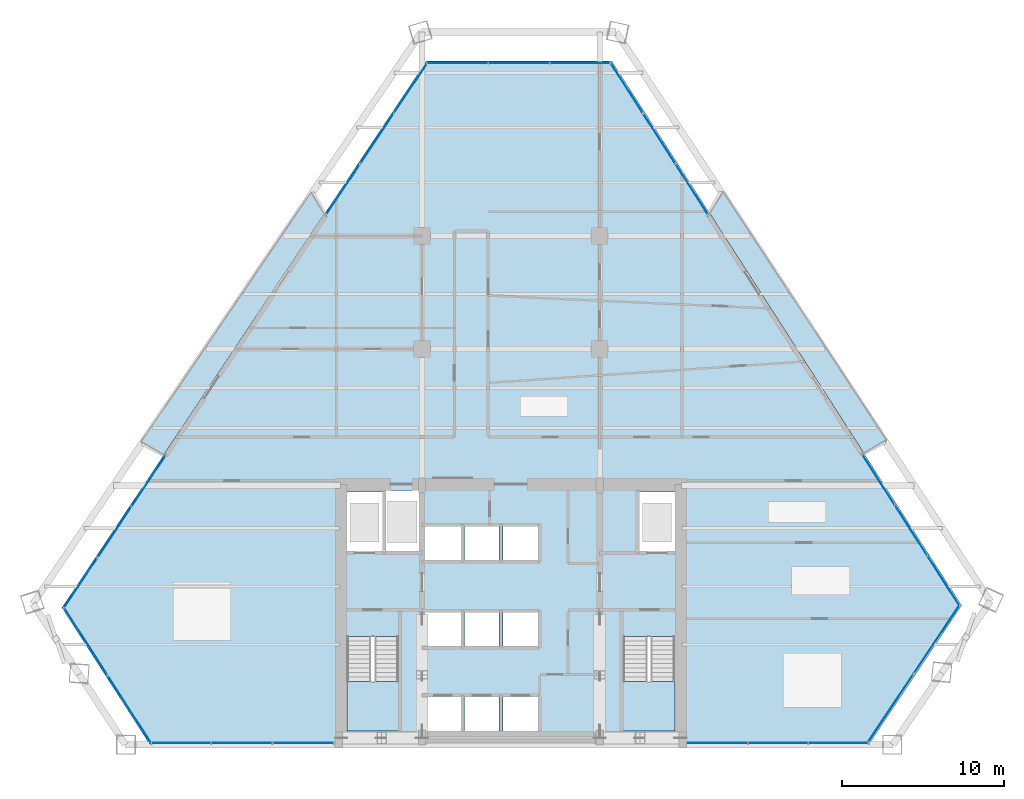
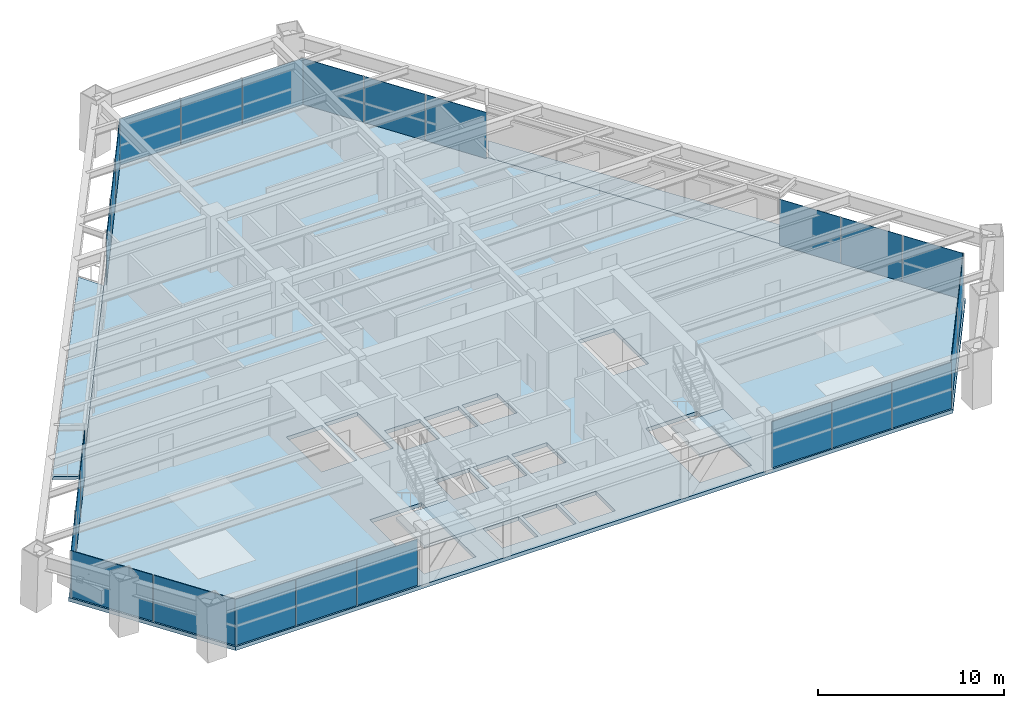
# One storey, part 9 of 15: 25 plates, 5 slabs, 11 elements without a shape of their own.
"""IFC4 building model written with IfcOpenShell, lengths in metres."""

from ifc_helpers import new_model, si_unit, direction, frame, origin, origin_2d, place, context, subcontext, project, spatial, polyline, rectangle, outline, extrude, source, transform, mapped, material, layer, layer_set, type_object, element, aggregate, save


model = new_model("IFC4")

# Units and contexts
model_context = context("Model", 3, precision=1e-05, world=origin(), true_north=direction((0.0, 1.0)))
body_context = subcontext(model_context, "Body", "Model", "MODEL_VIEW")
ifc_project = project(units=[si_unit("LENGTHUNIT", "METRE"), si_unit("AREAUNIT", "SQUARE_METRE"), si_unit("VOLUMEUNIT", "CUBIC_METRE"), si_unit("PLANEANGLEUNIT", "RADIAN"), si_unit("MASSUNIT", "GRAM", prefix="KILO")], contexts=[model_context])

# Site, building, storey
site_placement = place(None, origin())
site = spatial("IfcSite", under=ifc_project, at=site_placement, CompositionType="ELEMENT")
building_placement = place(site_placement, origin())
building = spatial("IfcBuilding", under=site, at=building_placement, Name="Varnakhor Terracotta Tower", CompositionType="ELEMENT")
storey_placement = place(building_placement, frame((0.0, 0.0, 109.89990234375)))
storey = spatial("IfcBuildingStorey", under=building, at=storey_placement, Name="L27", CompositionType="ELEMENT", Elevation=109.89990234375)

# Stair, slab
ifc_material_1 = material(Name="Concrete C40/50", Category="concrete")
stair_type = type_object("IfcStairType", Name="STR-CORE-OFFICE-1500", PredefinedType="HALF_TURN_STAIR", material=ifc_material_1)
stair_1_placement = place(storey_placement, origin())
stair_1 = element("IfcStair", 1, at=stair_1_placement, inside=storey, type_object=stair_type, Name="L27 Core Exit Stair ST-1", PredefinedType="HALF_TURN_STAIR")
ifc_layer_1 = layer(ifc_material_1, 0.179931640625, Name="Concrete C40/50")
ifc_layer_set_1 = layer_set([ifc_layer_1], Name="Concrete C40/50")
slab_type_1 = type_object("IfcSlabType", Name="SLB-LANDING-180", PredefinedType="LANDING", material=ifc_layer_set_1)
slab_1_placement = place(storey_placement, frame((0.0, 0.0, 1.650146484375)))
slab_1 = element("IfcSlab", 2, at=slab_1_placement, type_object=slab_type_1, Name="ST-1 landing 1", PredefinedType="LANDING", context=body_context, shape_type="SweptSolid", body=[
    extrude(outline(polyline([(-10.14990234375, 3.909912109375), (-10.14990234375, 0.85009765625), (-6.949951171875, 0.85009765625), (-6.949951171875, 3.909912109375), (-10.14990234375, 3.909912109375)])), origin(), (0.0, 0.0, 1.0), 0.199951171875),
])
aggregate(stair_1, [slab_1])

stair_2_placement = place(storey_placement, origin())
stair_2 = element("IfcStair", 3, at=stair_2_placement, inside=storey, type_object=stair_type, Name="L27 Core Exit Stair ST-2", PredefinedType="HALF_TURN_STAIR")
slab_2_placement = place(storey_placement, frame((0.0, 0.0, 1.650146484375)))
slab_2 = element("IfcSlab", 4, at=slab_2_placement, type_object=slab_type_1, Name="ST-2 landing 1", PredefinedType="LANDING", context=body_context, shape_type="SweptSolid", body=[
    extrude(outline(polyline([(6.949951171875, 3.909912109375), (6.949951171875, 0.85009765625), (10.14990234375, 0.85009765625), (10.14990234375, 3.909912109375), (6.949951171875, 3.909912109375)])), origin(), (0.0, 0.0, 1.0), 0.199951171875),
])
aggregate(stair_2, [slab_2])

# Slabs
ifc_layer_2 = layer(ifc_material_1, 0.195068359375, Name="Concrete C40/50")
ifc_layer_set_2 = layer_set([ifc_layer_2], Name="Concrete C40/50")
slab_type_2 = type_object("IfcSlabType", Name="SLB-LOGGIA-EXT-195", PredefinedType="FLOOR", material=ifc_layer_set_2)
slab_3_placement = place(storey_placement, frame((0.0, 0.0, -0.19482421875)))
element("IfcSlab", 5, at=slab_3_placement, inside=storey, type_object=slab_type_2, Name="L27 E Recessed Outdoor Loggia Slab", PredefinedType="FLOOR", context=body_context, shape_type="SweptSolid", body=[
    extrude(outline(polyline([(13.103759765625, 34.264892578125), (23.267333984375, 18.82080078125), (21.84521484375, 18.060546875), (12.319580078125, 32.88134765625), (13.103759765625, 34.264892578125)])), origin(), (0.0, 0.0, 1.0), 0.19482421875),
])
slab_4_placement = place(storey_placement, frame((0.0, 0.0, -0.19482421875)))
element("IfcSlab", 6, at=slab_4_placement, inside=storey, type_object=slab_type_2, Name="L27 W Recessed Outdoor Loggia Slab", PredefinedType="FLOOR", context=body_context, shape_type="SweptSolid", body=[
    extrude(outline(polyline([(-22.906005859375, 18.7119140625), (-12.339599609375, 34.222900390625), (-11.5537109375, 32.8408203125), (-21.47900390625, 17.956298828125), (-22.906005859375, 18.7119140625)])), origin(), (0.0, 0.0, 1.0), 0.19482421875),
])
ifc_layer_3 = layer(ifc_material_1, 0.25, Name="Concrete C40/50")
ifc_layer_set_3 = layer_set([ifc_layer_3], Name="Concrete C40/50")
slab_type_3 = type_object("IfcSlabType", Name="SLB-OFF-250", PredefinedType="FLOOR", material=ifc_layer_set_3)
slab_5_placement = place(storey_placement, frame((0.0, 0.0, -0.25)))
element("IfcSlab", 7, at=slab_5_placement, inside=storey, type_object=slab_type_3, Name="L27 Structural Floor Slab", PredefinedType="FLOOR", context=body_context, shape_type="SweptSolid", body=[
    extrude(outline(polyline([(-27.79541015625, 8.484619140625), (-5.237548828125, 42.3125), (6.2578125, 42.3125), (27.90673828125, 8.62939453125), (22.152587890625, 0.0), (-22.342041015625, 0.0), (-27.79541015625, 8.484619140625)]), holes=[polyline([(-3.10009765625, 0.85009765625), (-3.10009765625, 2.949951171875), (-5.300048828125, 2.949951171875), (-5.300048828125, 0.85009765625), (-3.10009765625, 0.85009765625)]), polyline([(-2.8798828125, 0.85009765625), (-0.719970703125, 0.85009765625), (-0.719970703125, 2.949951171875), (-2.8798828125, 2.949951171875), (-2.8798828125, 0.85009765625)]), polyline([(-10.14990234375, 0.85009765625), (-6.949951171875, 0.85009765625), (-6.949951171875, 6.695068359375), (-10.14990234375, 6.695068359375), (-10.14990234375, 0.85009765625)]), polyline([(-5.300048828125, 6.10009765625), (-3.10009765625, 6.10009765625), (-3.10009765625, 8.199951171875), (-5.300048828125, 8.199951171875), (-5.300048828125, 6.10009765625)]), polyline([(-5.300048828125, 11.419921875), (-3.10009765625, 11.419921875), (-3.10009765625, 13.52001953125), (-5.300048828125, 13.52001953125), (-5.300048828125, 11.419921875)]), polyline([(-10.14990234375, 11.8798828125), (-7.949951171875, 11.8798828125), (-7.949951171875, 15.64990234375), (-10.14990234375, 15.64990234375), (-10.14990234375, 11.8798828125)]), polyline([(-7.72998046875, 11.8798828125), (-5.699951171875, 11.8798828125), (-5.699951171875, 15.75), (-7.72998046875, 15.75), (-7.72998046875, 11.8798828125)]), polyline([(1.699951171875, 0.85009765625), (1.699951171875, 2.949951171875), (-0.5, 2.949951171875), (-0.5, 0.85009765625), (1.699951171875, 0.85009765625)]), polyline([(6.949951171875, 0.85009765625), (10.14990234375, 0.85009765625), (10.14990234375, 6.695068359375), (6.949951171875, 6.695068359375), (6.949951171875, 0.85009765625)]), polyline([(-2.8798828125, 6.10009765625), (-0.719970703125, 6.10009765625), (-0.719970703125, 8.199951171875), (-2.8798828125, 8.199951171875), (-2.8798828125, 6.10009765625)]), polyline([(-0.5, 6.10009765625), (1.699951171875, 6.10009765625), (1.699951171875, 8.199951171875), (-0.5, 8.199951171875), (-0.5, 6.10009765625)]), polyline([(-2.8798828125, 11.419921875), (-0.719970703125, 11.419921875), (-0.719970703125, 13.52001953125), (-2.8798828125, 13.52001953125), (-2.8798828125, 11.419921875)]), polyline([(-0.5, 11.419921875), (1.699951171875, 11.419921875), (1.699951171875, 13.52001953125), (-0.5, 13.52001953125), (-0.5, 11.419921875)]), polyline([(7.949951171875, 11.8798828125), (10.14990234375, 11.8798828125), (10.14990234375, 15.64990234375), (7.949951171875, 15.64990234375), (7.949951171875, 11.8798828125)])]), origin(), (0.0, 0.0, 1.0), 0.25),
])

# Curtain wall, plates
ifc_material_2 = material(Name="Anodised Aluminium Curtain Wall System", Category="aluminium")
curtain_wall_type = type_object("IfcCurtainWallType", Name="CW-SYS-LOW-OFFICE", PredefinedType="NOTDEFINED", material=ifc_material_2)
curtain_wall_1_placement = place(storey_placement, origin())
curtain_wall_1 = element("IfcCurtainWall", 8, at=curtain_wall_1_placement, inside=storey, type_object=curtain_wall_type, Name="L27 W Facet Curtain Wall 1", PredefinedType="NOTDEFINED")
ifc_material_3 = material(Name="Solar-Control Low-E Insulated Glass Panel", Category="glass")
ifc_layer_4 = layer(ifc_material_3, 0.0380859375, Name="Solar-Control Low-E Insulated Glass Panel")
ifc_layer_set_4 = layer_set([ifc_layer_4], Name="Solar-Control Low-E Insulated Glass Panel")
plate_type = type_object("IfcPlateType", Name="CWP-02", PredefinedType="CURTAIN_PANEL", material=ifc_layer_set_4)
shared_shape_1 = source(origin(), body_context, "Body", "SweptSolid", [
    extrude(rectangle(XDim=3.73486328125, YDim=0.035888671875, at=origin_2d()), origin(), (0.0, 0.0, 1.0), 3.030029296875),
])
plate_1_placement = place(storey_placement, frame((-26.631591796875, 10.01318359375, 0.0), z_axis=(0.0, 0.0, 1.0), x_axis=(0.554800865671, 0.831983172576, 0.0)))
plate_1 = element("IfcPlate", 9, at=plate_1_placement, type_object=plate_type, Name="L27 W Facet Curtain Wall 1 Glazed Panel 1", PredefinedType="CURTAIN_PANEL", context=body_context, shape_type="MappedRepresentation", body=[
    mapped(shared_shape_1, transform((0.0, 0.0, 0.0), scale=1.0)),
])
plate_2_placement = place(storey_placement, frame((-24.537353515625, 13.15380859375, 0.0), z_axis=(0.0, 0.0, 1.0), x_axis=(0.554800865671, 0.831983172576, 0.0)))
plate_2 = element("IfcPlate", 10, at=plate_2_placement, type_object=plate_type, Name="L27 W Facet Curtain Wall 1 Glazed Panel 2", PredefinedType="CURTAIN_PANEL", context=body_context, shape_type="MappedRepresentation", body=[
    mapped(shared_shape_1, transform((0.0, 0.0, 0.0), scale=1.0)),
])
plate_3_placement = place(storey_placement, frame((-22.443115234375, 16.29443359375, 0.0), z_axis=(0.0, 0.0, 1.0), x_axis=(0.554800865671, 0.831983172576, 0.0)))
plate_3 = element("IfcPlate", 11, at=plate_3_placement, type_object=plate_type, Name="L27 W Facet Curtain Wall 1 Glazed Panel 3", PredefinedType="CURTAIN_PANEL", context=body_context, shape_type="MappedRepresentation", body=[
    mapped(shared_shape_1, transform((0.0, 0.0, 0.0), scale=1.0)),
])
aggregate(curtain_wall_1, [plate_1, plate_2, plate_3])

curtain_wall_2_placement = place(storey_placement, origin())
curtain_wall_2 = element("IfcCurtainWall", 12, at=curtain_wall_2_placement, inside=storey, type_object=curtain_wall_type, Name="L27 W Facet Curtain Wall 2", PredefinedType="NOTDEFINED")
plate_4_placement = place(storey_placement, frame((-10.39013671875, 34.369384765625, 0.0), z_axis=(0.0, 0.0, 1.0), x_axis=(0.554800865671, 0.831983172576, 0.0)))
plate_4 = element("IfcPlate", 13, at=plate_4_placement, type_object=plate_type, Name="L27 W Facet Curtain Wall 2 Glazed Panel 1", PredefinedType="CURTAIN_PANEL", context=body_context, shape_type="MappedRepresentation", body=[
    mapped(shared_shape_1, transform((0.0, 0.0, 0.0), scale=1.0)),
])
plate_5_placement = place(storey_placement, frame((-8.2958984375, 37.510009765625, 0.0), z_axis=(0.0, 0.0, 1.0), x_axis=(0.554800865671, 0.831983172576, 0.0)))
plate_5 = element("IfcPlate", 14, at=plate_5_placement, type_object=plate_type, Name="L27 W Facet Curtain Wall 2 Glazed Panel 2", PredefinedType="CURTAIN_PANEL", context=body_context, shape_type="MappedRepresentation", body=[
    mapped(shared_shape_1, transform((0.0, 0.0, 0.0), scale=1.0)),
])
plate_6_placement = place(storey_placement, frame((-6.20166015625, 40.65087890625, 0.0), z_axis=(0.0, 0.0, 1.0), x_axis=(0.554800865671, 0.831983172576, 0.0)))
plate_6 = element("IfcPlate", 15, at=plate_6_placement, type_object=plate_type, Name="L27 W Facet Curtain Wall 2 Glazed Panel 3", PredefinedType="CURTAIN_PANEL", context=body_context, shape_type="MappedRepresentation", body=[
    mapped(shared_shape_1, transform((0.0, 0.0, 0.0), scale=1.0)),
])
aggregate(curtain_wall_2, [plate_4, plate_5, plate_6])

curtain_wall_3_placement = place(storey_placement, origin())
curtain_wall_3 = element("IfcCurtainWall", 16, at=curtain_wall_3_placement, inside=storey, type_object=curtain_wall_type, Name="L27 Facet Curtain Wall 2", PredefinedType="NOTDEFINED")
shared_shape_2 = source(origin(), body_context, "Body", "SweptSolid", [
    extrude(rectangle(XDim=3.771728515625, YDim=0.035888671875, at=origin_2d()), origin(), (0.0, 0.0, 1.0), 3.030029296875),
])
plate_7_placement = place(storey_placement, frame((-3.3017578125, 42.192626953125, 0.0), z_axis=(0.0, 0.0, 1.0), x_axis=(1.0, 0.0, 0.0)))
plate_7 = element("IfcPlate", 17, at=plate_7_placement, type_object=plate_type, Name="L27 Facet Curtain Wall 2 Glazed Panel 1", PredefinedType="CURTAIN_PANEL", context=body_context, shape_type="MappedRepresentation", body=[
    mapped(shared_shape_2, transform((0.0, 0.0, 0.0), scale=1.0)),
])
plate_8_placement = place(storey_placement, frame((4.322021484375, 42.192626953125, 0.0), z_axis=(0.0, 0.0, 1.0), x_axis=(1.0, 0.0, 0.0)))
plate_8 = element("IfcPlate", 18, at=plate_8_placement, type_object=plate_type, Name="L27 Facet Curtain Wall 2 Glazed Panel 3", PredefinedType="CURTAIN_PANEL", context=body_context, shape_type="MappedRepresentation", body=[
    mapped(shared_shape_2, transform((0.0, 0.0, 0.0), scale=1.0)),
])
shared_shape_3 = source(origin(), body_context, "Body", "SweptSolid", [
    extrude(rectangle(XDim=3.77197265625, YDim=0.035888671875, at=origin_2d()), origin(), (0.0, 0.0, 1.0), 3.030029296875),
])
plate_9_placement = place(storey_placement, frame((0.51025390625, 42.192626953125, 0.0), z_axis=(0.0, 0.0, 1.0), x_axis=(1.0, 0.0, 0.0)))
plate_9 = element("IfcPlate", 19, at=plate_9_placement, type_object=plate_type, Name="L27 Facet Curtain Wall 2 Glazed Panel 2", PredefinedType="CURTAIN_PANEL", context=body_context, shape_type="MappedRepresentation", body=[
    mapped(shared_shape_3, transform((0.0, 0.0, 0.0), scale=1.0)),
])
aggregate(curtain_wall_3, [plate_7, plate_9, plate_8])

curtain_wall_4_placement = place(storey_placement, origin())
curtain_wall_4 = element("IfcCurtainWall", 20, at=curtain_wall_4_placement, inside=storey, type_object=curtain_wall_type, Name="L27 E Facet Curtain Wall 1", PredefinedType="NOTDEFINED")
shared_shape_4 = source(origin(), body_context, "Body", "SweptSolid", [
    extrude(rectangle(XDim=3.677001953125, YDim=0.035888671875, at=origin_2d()), origin(), (0.0, 0.0, 1.0), 3.030029296875),
])
plate_10_placement = place(storey_placement, frame((7.177978515625, 40.658935546875, 0.0), z_axis=(0.0, 0.0, 1.0), x_axis=(0.540680860418, -0.841227797435, 0.0)))
plate_10 = element("IfcPlate", 21, at=plate_10_placement, type_object=plate_type, Name="L27 E Facet Curtain Wall 1 Glazed Panel 1", PredefinedType="CURTAIN_PANEL", context=body_context, shape_type="MappedRepresentation", body=[
    mapped(shared_shape_4, transform((0.0, 0.0, 0.0), scale=1.0)),
])
plate_11_placement = place(storey_placement, frame((9.187744140625, 37.531982421875, 0.0), z_axis=(0.0, 0.0, 1.0), x_axis=(0.540680860418, -0.841227797435, 0.0)))
plate_11 = element("IfcPlate", 22, at=plate_11_placement, type_object=plate_type, Name="L27 E Facet Curtain Wall 1 Glazed Panel 2", PredefinedType="CURTAIN_PANEL", context=body_context, shape_type="MappedRepresentation", body=[
    mapped(shared_shape_4, transform((0.0, 0.0, 0.0), scale=1.0)),
])
plate_12_placement = place(storey_placement, frame((11.197509765625, 34.405029296875, 0.0), z_axis=(0.0, 0.0, 1.0), x_axis=(0.540680860418, -0.841227797435, 0.0)))
plate_12 = element("IfcPlate", 23, at=plate_12_placement, type_object=plate_type, Name="L27 E Facet Curtain Wall 1 Glazed Panel 3", PredefinedType="CURTAIN_PANEL", context=body_context, shape_type="MappedRepresentation", body=[
    mapped(shared_shape_4, transform((0.0, 0.0, 0.0), scale=1.0)),
])
aggregate(curtain_wall_4, [plate_10, plate_11, plate_12])

curtain_wall_5_placement = place(storey_placement, origin())
curtain_wall_5 = element("IfcCurtainWall", 24, at=curtain_wall_5_placement, inside=storey, type_object=curtain_wall_type, Name="L27 E Facet Curtain Wall 2", PredefinedType="NOTDEFINED")
plate_13_placement = place(storey_placement, frame((22.765380859375, 16.406982421875, 0.0), z_axis=(0.0, 0.0, 1.0), x_axis=(0.540680860418, -0.841227797435, 0.0)))
plate_13 = element("IfcPlate", 25, at=plate_13_placement, type_object=plate_type, Name="L27 E Facet Curtain Wall 2 Glazed Panel 1", PredefinedType="CURTAIN_PANEL", context=body_context, shape_type="MappedRepresentation", body=[
    mapped(shared_shape_4, transform((0.0, 0.0, 0.0), scale=1.0)),
])
plate_14_placement = place(storey_placement, frame((26.784912109375, 10.1533203125, 0.0), z_axis=(0.0, 0.0, 1.0), x_axis=(0.540680860418, -0.841227797435, 0.0)))
plate_14 = element("IfcPlate", 26, at=plate_14_placement, type_object=plate_type, Name="L27 E Facet Curtain Wall 2 Glazed Panel 3", PredefinedType="CURTAIN_PANEL", context=body_context, shape_type="MappedRepresentation", body=[
    mapped(shared_shape_4, transform((0.0, 0.0, 0.0), scale=1.0)),
])
shared_shape_5 = source(origin(), body_context, "Body", "SweptSolid", [
    extrude(rectangle(XDim=3.67724609375, YDim=0.035888671875, at=origin_2d()), origin(), (0.0, 0.0, 1.0), 3.030029296875),
])
plate_15_placement = place(storey_placement, frame((24.77490234375, 13.280029296875, 0.0), z_axis=(0.0, 0.0, 1.0), x_axis=(0.540680860418, -0.841227797435, 0.0)))
plate_15 = element("IfcPlate", 27, at=plate_15_placement, type_object=plate_type, Name="L27 E Facet Curtain Wall 2 Glazed Panel 2", PredefinedType="CURTAIN_PANEL", context=body_context, shape_type="MappedRepresentation", body=[
    mapped(shared_shape_5, transform((0.0, 0.0, 0.0), scale=1.0)),
])
aggregate(curtain_wall_5, [plate_13, plate_15, plate_14])

curtain_wall_6_placement = place(storey_placement, origin())
curtain_wall_6 = element("IfcCurtainWall", 28, at=curtain_wall_6_placement, inside=storey, type_object=curtain_wall_type, Name="L27 Facet Curtain Wall 4", PredefinedType="NOTDEFINED")
shared_shape_6 = source(origin(), body_context, "Body", "SweptSolid", [
    extrude(rectangle(XDim=5.115966796875, YDim=0.035888671875, at=origin_2d()), origin(), (0.0, 0.0, 1.0), 3.030029296875),
])
plate_16_placement = place(storey_placement, frame((26.360107421875, 6.52587890625, 0.0), z_axis=(0.0, 0.0, 1.0), x_axis=(-0.554800865671, -0.831983172576, 0.0)))
plate_16 = element("IfcPlate", 29, at=plate_16_placement, type_object=plate_type, Name="L27 Facet Curtain Wall 4 Glazed Panel 1", PredefinedType="CURTAIN_PANEL", context=body_context, shape_type="MappedRepresentation", body=[
    mapped(shared_shape_6, transform((0.0, 0.0, 0.0), scale=1.0)),
])
plate_17_placement = place(storey_placement, frame((23.49951171875, 2.236328125, 0.0), z_axis=(0.0, 0.0, 1.0), x_axis=(-0.554800865671, -0.831983172576, 0.0)))
plate_17 = element("IfcPlate", 30, at=plate_17_placement, type_object=plate_type, Name="L27 Facet Curtain Wall 4 Glazed Panel 2", PredefinedType="CURTAIN_PANEL", context=body_context, shape_type="MappedRepresentation", body=[
    mapped(shared_shape_6, transform((0.0, 0.0, 0.0), scale=1.0)),
])
aggregate(curtain_wall_6, [plate_16, plate_17])

curtain_wall_7_placement = place(storey_placement, origin())
curtain_wall_7 = element("IfcCurtainWall", 31, at=curtain_wall_7_placement, inside=storey, type_object=curtain_wall_type, Name="L27 South Wing Curtain Wall SSE", PredefinedType="NOTDEFINED")
shared_shape_7 = source(origin(), body_context, "Body", "SweptSolid", [
    extrude(rectangle(XDim=3.68408203125, YDim=0.035888671875, at=origin_2d()), origin(), (0.0, 0.0, 1.0), 3.030029296875),
])
plate_18_placement = place(storey_placement, frame((20.280517578125, 0.1201171875, 0.0), z_axis=(0.0, 0.0, 1.0), x_axis=(-1.0, 0.0, 0.0)))
plate_18 = element("IfcPlate", 32, at=plate_18_placement, type_object=plate_type, Name="L27 South Wing Curtain Wall SSE Glazed Panel 1", PredefinedType="CURTAIN_PANEL", context=body_context, shape_type="MappedRepresentation", body=[
    mapped(shared_shape_7, transform((0.0, 0.0, 0.0), scale=1.0)),
])
plate_19_placement = place(storey_placement, frame((16.55615234375, 0.1201171875, 0.0), z_axis=(0.0, 0.0, 1.0), x_axis=(-1.0, 0.0, 0.0)))
plate_19 = element("IfcPlate", 33, at=plate_19_placement, type_object=plate_type, Name="L27 South Wing Curtain Wall SSE Glazed Panel 2", PredefinedType="CURTAIN_PANEL", context=body_context, shape_type="MappedRepresentation", body=[
    mapped(shared_shape_7, transform((0.0, 0.0, 0.0), scale=1.0)),
])
plate_20_placement = place(storey_placement, frame((12.83203125, 0.1201171875, 0.0), z_axis=(0.0, 0.0, 1.0), x_axis=(-1.0, 0.0, 0.0)))
plate_20 = element("IfcPlate", 34, at=plate_20_placement, type_object=plate_type, Name="L27 South Wing Curtain Wall SSE Glazed Panel 3", PredefinedType="CURTAIN_PANEL", context=body_context, shape_type="MappedRepresentation", body=[
    mapped(shared_shape_7, transform((0.0, 0.0, 0.0), scale=1.0)),
])
aggregate(curtain_wall_7, [plate_18, plate_19, plate_20])

curtain_wall_8_placement = place(storey_placement, origin())
curtain_wall_8 = element("IfcCurtainWall", 35, at=curtain_wall_8_placement, inside=storey, type_object=curtain_wall_type, Name="L27 South Wing Curtain Wall SSW", PredefinedType="NOTDEFINED")
shared_shape_8 = source(origin(), body_context, "Body", "SweptSolid", [
    extrude(rectangle(XDim=3.747314453125, YDim=0.035888671875, at=origin_2d()), origin(), (0.0, 0.0, 1.0), 3.030029296875),
])
plate_21_placement = place(storey_placement, frame((-12.86376953125, 0.1201171875, 0.0), z_axis=(0.0, 0.0, 1.0), x_axis=(-1.0, 0.0, 0.0)))
plate_21 = element("IfcPlate", 36, at=plate_21_placement, type_object=plate_type, Name="L27 South Wing Curtain Wall SSW Glazed Panel 1", PredefinedType="CURTAIN_PANEL", context=body_context, shape_type="MappedRepresentation", body=[
    mapped(shared_shape_8, transform((0.0, 0.0, 0.0), scale=1.0)),
])
plate_22_placement = place(storey_placement, frame((-16.65087890625, 0.1201171875, 0.0), z_axis=(0.0, 0.0, 1.0), x_axis=(-1.0, 0.0, 0.0)))
plate_22 = element("IfcPlate", 37, at=plate_22_placement, type_object=plate_type, Name="L27 South Wing Curtain Wall SSW Glazed Panel 2", PredefinedType="CURTAIN_PANEL", context=body_context, shape_type="MappedRepresentation", body=[
    mapped(shared_shape_8, transform((0.0, 0.0, 0.0), scale=1.0)),
])
plate_23_placement = place(storey_placement, frame((-20.4384765625, 0.1201171875, 0.0), z_axis=(0.0, 0.0, 1.0), x_axis=(-1.0, 0.0, 0.0)))
plate_23 = element("IfcPlate", 38, at=plate_23_placement, type_object=plate_type, Name="L27 South Wing Curtain Wall SSW Glazed Panel 3", PredefinedType="CURTAIN_PANEL", context=body_context, shape_type="MappedRepresentation", body=[
    mapped(shared_shape_8, transform((0.0, 0.0, 0.0), scale=1.0)),
])
aggregate(curtain_wall_8, [plate_21, plate_22, plate_23])

curtain_wall_9_placement = place(storey_placement, origin())
curtain_wall_9 = element("IfcCurtainWall", 39, at=curtain_wall_9_placement, inside=storey, type_object=curtain_wall_type, Name="L27 Facet Curtain Wall 6", PredefinedType="NOTDEFINED")
shared_shape_9 = source(origin(), body_context, "Body", "SweptSolid", [
    extrude(rectangle(XDim=4.972900390625, YDim=0.035888671875, at=origin_2d()), origin(), (0.0, 0.0, 1.0), 3.030029296875),
])
plate_24_placement = place(storey_placement, frame((-23.612548828125, 2.198486328125, 0.0), z_axis=(0.0, 0.0, 1.0), x_axis=(-0.540680860418, 0.841227797435, 0.0)))
plate_24 = element("IfcPlate", 40, at=plate_24_placement, type_object=plate_type, Name="L27 Facet Curtain Wall 6 Glazed Panel 1", PredefinedType="CURTAIN_PANEL", context=body_context, shape_type="MappedRepresentation", body=[
    mapped(shared_shape_9, transform((0.0, 0.0, 0.0), scale=1.0)),
])
plate_25_placement = place(storey_placement, frame((-26.322998046875, 6.41552734375, 0.0), z_axis=(0.0, 0.0, 1.0), x_axis=(-0.540680860418, 0.841227797435, 0.0)))
plate_25 = element("IfcPlate", 41, at=plate_25_placement, type_object=plate_type, Name="L27 Facet Curtain Wall 6 Glazed Panel 2", PredefinedType="CURTAIN_PANEL", context=body_context, shape_type="MappedRepresentation", body=[
    mapped(shared_shape_9, transform((0.0, 0.0, 0.0), scale=1.0)),
])
aggregate(curtain_wall_9, [plate_24, plate_25])

save(model, "model.ifc")
